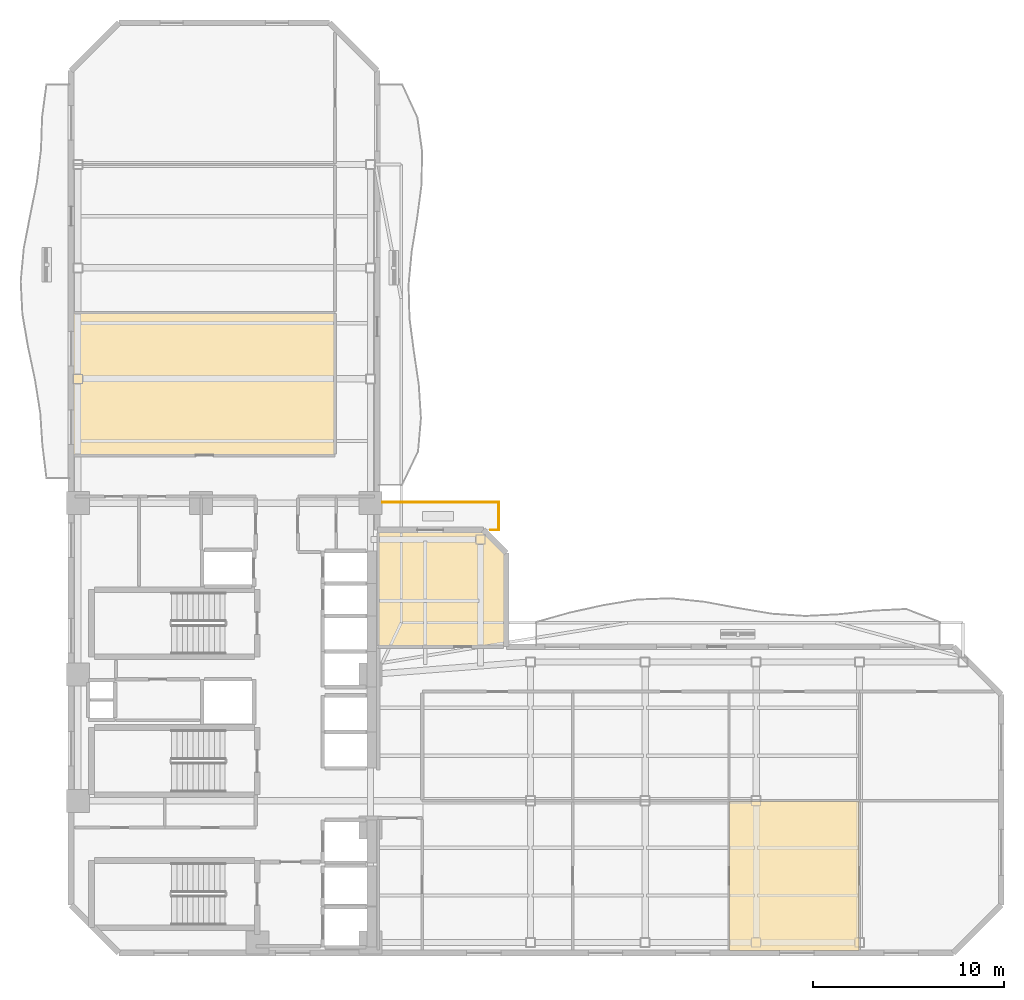
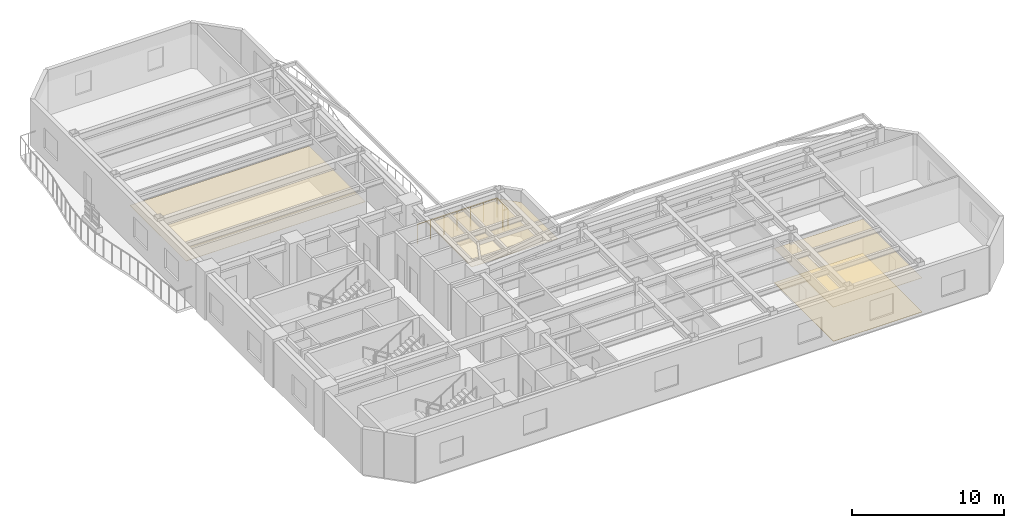
# One storey, part 8 of 10: 4 coverings, 3 railings.
"""IFC4 building model written with IfcOpenShell, lengths in metres."""

from ifc_helpers import new_model, si_unit, direction, frame, origin, origin_2d, place, context, subcontext, project, spatial, polyline, rectangle, outline, extrude, material, layer, layer_set, type_object, element, save


model = new_model("IFC4")

# Units and contexts
model_context = context("Model", 3, precision=1e-05, world=origin(), true_north=direction((0.0, 1.0)))
body_context = subcontext(model_context, "Body", "Model", "MODEL_VIEW")
ifc_project = project(units=[si_unit("LENGTHUNIT", "METRE"), si_unit("AREAUNIT", "SQUARE_METRE"), si_unit("VOLUMEUNIT", "CUBIC_METRE"), si_unit("PLANEANGLEUNIT", "RADIAN"), si_unit("MASSUNIT", "GRAM", prefix="KILO")], contexts=[model_context])

# Site, building, storey
site_placement = place(None, origin())
site = spatial("IfcSite", under=ifc_project, at=site_placement, CompositionType="ELEMENT")
building_placement = place(site_placement, origin())
building = spatial("IfcBuilding", under=site, at=building_placement, Name="Mawjaban Terraces University", CompositionType="ELEMENT")
storey_placement = place(building_placement, frame((0.0, 0.0, 158.0)))
storey = spatial("IfcBuildingStorey", under=building, at=storey_placement, Name="L38", CompositionType="ELEMENT", Elevation=158.0)

# Coverings
ifc_material_1 = material(Name="Acoustic mineral fibre ceiling tile", Category="masonry")
ifc_layer_1 = layer(ifc_material_1, 0.02001953125)
ifc_layer_set_1 = layer_set([ifc_layer_1], Name="Acoustic mineral fibre ceiling tile")
covering_type_1 = type_object("IfcCoveringType", Name="AcousticMineralCeiling_20", PredefinedType="CEILING", material=ifc_layer_set_1)
covering_1_placement = place(storey_placement, frame((0.0, 0.0, 2.75)))
element("IfcCovering", 1, at=covering_1_placement, inside=storey, type_object=covering_type_1, Name="L38 Conference Room 6 Acoustic Ceiling", PredefinedType="CEILING", context=body_context, shape_type="SweptSolid", body=[
    extrude(outline(polyline([(56.412109375, 0.114990234375), (63.169921875, 0.114990234375), (63.169921875, 7.919921875), (56.412109375, 7.919921875), (56.412109375, 0.114990234375)])), origin(), (0.0, 0.0, 1.0), 0.02001953125),
])
covering_2_placement = place(storey_placement, frame((0.0, 0.0, 2.75)))
element("IfcCovering", 2, at=covering_2_placement, inside=storey, type_object=covering_type_1, Name="L38 Student Tea Pantry 10 Acoustic Ceiling", PredefinedType="CEILING", context=body_context, shape_type="SweptSolid", body=[
    extrude(outline(polyline([(22.114990234375, 33.427978515625), (22.114990234375, 26.030029296875), (35.77001953125, 26.030029296875), (35.77001953125, 33.427978515625), (22.114990234375, 33.427978515625)])), origin(), (0.0, 0.0, 1.0), 0.02001953125),
])
covering_3_placement = place(storey_placement, frame((0.0, 0.0, 2.75)))
element("IfcCovering", 3, at=covering_3_placement, inside=storey, type_object=covering_type_1, Name="L38 Terrace Collaborative Study Room Acoustic Ceiling", PredefinedType="CEILING", context=body_context, shape_type="SweptSolid", body=[
    extrude(outline(polyline([(44.6259765625, 16.030029296875), (44.6259765625, 20.85302734375), (43.493896484375, 21.985107421875), (38.080078125, 21.985107421875), (38.080078125, 16.030029296875), (44.6259765625, 16.030029296875)])), origin(), (0.0, 0.0, 1.0), 0.02001953125),
])

# Railings
ifc_material_2 = material(Name="Galvanised powder-coated steel S355", Category="steel")
railing_type = type_object("IfcRailingType", Name="BalconyBalustrade_1600", PredefinedType="BALUSTRADE", material=ifc_material_2)
railing_1_placement = place(storey_placement, frame((43.93701171875, 22.10009765625, 0.0)))
element("IfcRailing", 4, at=railing_1_placement, inside=storey, type_object=railing_type, Name="L38 Terrace Guardrail TER-L38-CLIMB.1", PredefinedType="BALUSTRADE", context=body_context, shape_type="SweptSolid", body=[
    extrude(rectangle(XDim=0.048095703125, YDim=0.048095703125, at=origin_2d()), frame((0.0, 0.0, 1.576171875), z_axis=(1.0, 0.0, 0.0), x_axis=(0.0, 1.0, 0.0)), (0.0, 0.0, 1.0), 0.404052734375),
    extrude(rectangle(XDim=0.0419921875, YDim=0.0419921875, at=origin_2d()), origin(), (0.0, 0.0, 1.0), 1.552001953125),
    extrude(rectangle(XDim=0.0419921875, YDim=0.0419921875, at=origin_2d()), frame((0.404052734375, 0.0, 0.0)), (0.0, 0.0, 1.0), 1.552001953125),
])
railing_2_placement = place(storey_placement, frame((44.341064453125, 22.10009765625, 0.0)))
element("IfcRailing", 5, at=railing_2_placement, inside=storey, type_object=railing_type, Name="L38 Terrace Guardrail TER-L38-CLIMB.2", PredefinedType="BALUSTRADE", context=body_context, shape_type="SweptSolid", body=[
    extrude(rectangle(XDim=0.048095703125, YDim=0.048095703125, at=origin_2d()), frame((0.0, 0.0, 1.576171875), z_axis=(0.0, 1.0, 0.0), x_axis=(-1.0, 0.0, 0.0)), (0.0, 0.0, 1.0), 1.449951171875),
    extrude(rectangle(XDim=0.0419921875, YDim=0.0419921875, at=origin_2d()), origin(), (0.0, 0.0, 1.0), 1.552001953125),
    extrude(rectangle(XDim=0.0419921875, YDim=0.0419921875, at=origin_2d()), frame((0.0, 0.72509765625, 0.0)), (0.0, 0.0, 1.0), 1.552001953125),
    extrude(rectangle(XDim=0.0419921875, YDim=0.0419921875, at=origin_2d()), frame((0.0, 1.449951171875, 0.0)), (0.0, 0.0, 1.0), 1.552001953125),
])
railing_3_placement = place(storey_placement, frame((44.341064453125, 23.550048828125, 0.0)))
element("IfcRailing", 6, at=railing_3_placement, inside=storey, type_object=railing_type, Name="L38 Terrace Guardrail TER-L38-CLIMB.3", PredefinedType="BALUSTRADE", context=body_context, shape_type="SweptSolid", body=[
    extrude(rectangle(XDim=0.048095703125, YDim=0.048095703125, at=origin_2d()), frame((0.0, 0.0, 1.576171875), z_axis=(-1.0, 0.0, 0.0), x_axis=(0.0, -1.0, 0.0)), (0.0, 0.0, 1.0), 6.06103515625),
    extrude(rectangle(XDim=0.0419921875, YDim=0.0419921875, at=origin_2d()), origin(), (0.0, 0.0, 1.0), 1.552001953125),
    extrude(rectangle(XDim=0.0419921875, YDim=0.0419921875, at=origin_2d()), frame((-1.01025390625, 0.0, 0.0)), (0.0, 0.0, 1.0), 1.552001953125),
    extrude(rectangle(XDim=0.0419921875, YDim=0.0419921875, at=origin_2d()), frame((-2.020263671875, 0.0, 0.0)), (0.0, 0.0, 1.0), 1.552001953125),
    extrude(rectangle(XDim=0.0419921875, YDim=0.0419921875, at=origin_2d()), frame((-3.030517578125, 0.0, 0.0)), (0.0, 0.0, 1.0), 1.552001953125),
    extrude(rectangle(XDim=0.0419921875, YDim=0.0419921875, at=origin_2d()), frame((-4.040771484375, 0.0, 0.0)), (0.0, 0.0, 1.0), 1.552001953125),
    extrude(rectangle(XDim=0.0419921875, YDim=0.0419921875, at=origin_2d()), frame((-5.05078125, 0.0, 0.0)), (0.0, 0.0, 1.0), 1.552001953125),
    extrude(rectangle(XDim=0.0419921875, YDim=0.0419921875, at=origin_2d()), frame((-6.06103515625, 0.0, 0.0)), (0.0, 0.0, 1.0), 1.552001953125),
])

# Covering
ifc_material_3 = material(Name="Polished Hijazi granite terrazzo flooring", Category="masonry")
ifc_layer_2 = layer(ifc_material_3, 0.02490234375)
ifc_layer_set_2 = layer_set([ifc_layer_2], Name="Polished Hijazi granite terrazzo flooring")
covering_type_2 = type_object("IfcCoveringType", Name="TerrazzoConcourseFlooring_25", PredefinedType="FLOORING", material=ifc_layer_set_2)
covering_4_placement = place(storey_placement, origin())
element("IfcCovering", 7, at=covering_4_placement, inside=storey, type_object=covering_type_2, Name="L38 Conference Room 6 Terrazzo Flooring", PredefinedType="FLOORING", context=body_context, shape_type="SweptSolid", body=[
    extrude(outline(polyline([(56.412109375, 0.114990234375), (63.169921875, 0.114990234375), (63.169921875, 7.919921875), (56.412109375, 7.919921875), (56.412109375, 0.114990234375)])), origin(), (0.0, 0.0, 1.0), 0.02490234375),
])

save(model, "model.ifc")
